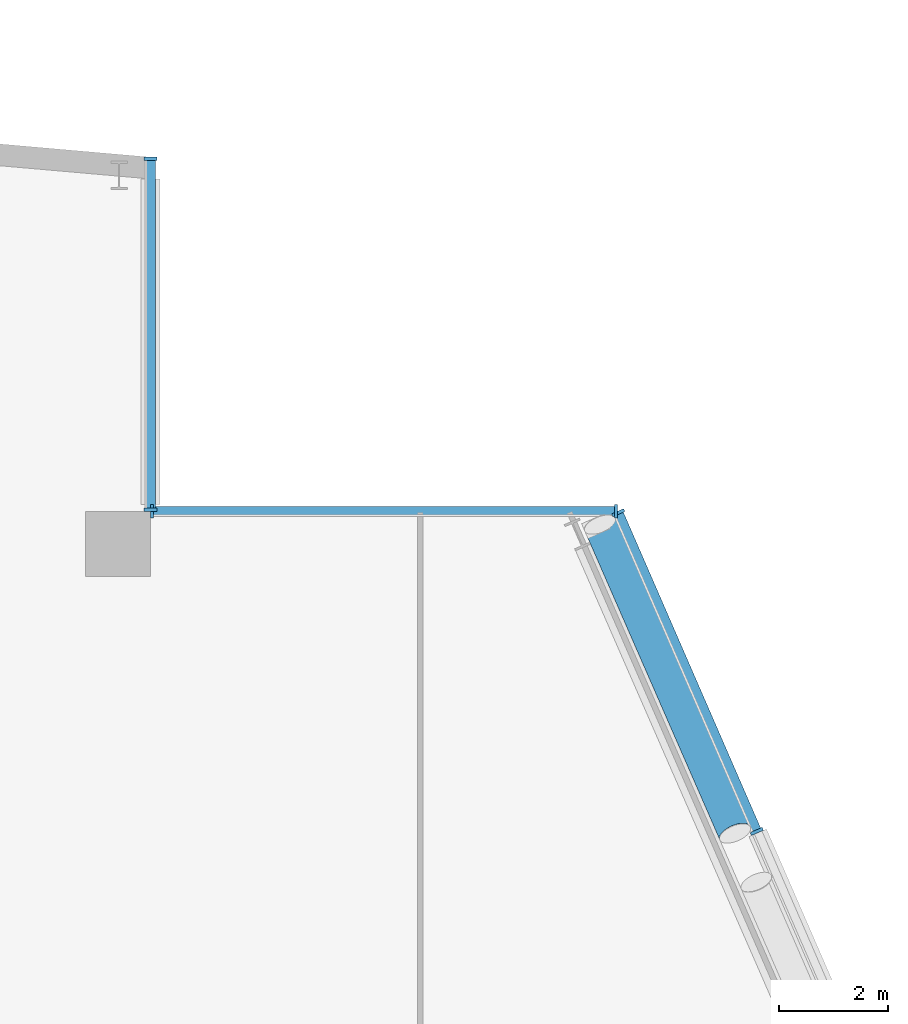
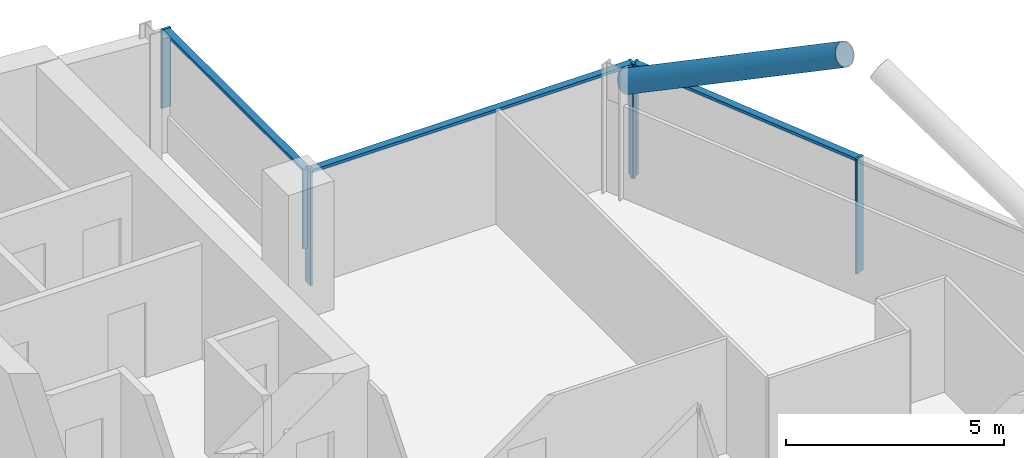
# One storey, part 11 of 28: 10 members, 3 elements without a shape of their own.
"""IFC4 building model written with IfcOpenShell, lengths in metres."""

from ifc_helpers import new_model, si_unit, direction, frame, origin, origin_2d, place, context, subcontext, project, spatial, rectangle, hollow_circle, extrude, material, material_profile, profile_set, type_object, element, aggregate, save


model = new_model("IFC4")

# Units and contexts
model_context = context("Model", 3, precision=1e-05, world=origin(), true_north=direction((0.0, 1.0)))
body_context = subcontext(model_context, "Body", "Model", "MODEL_VIEW")
ifc_project = project(units=[si_unit("LENGTHUNIT", "METRE"), si_unit("AREAUNIT", "SQUARE_METRE"), si_unit("VOLUMEUNIT", "CUBIC_METRE"), si_unit("PLANEANGLEUNIT", "RADIAN"), si_unit("MASSUNIT", "GRAM", prefix="KILO")], contexts=[model_context])

# Site, building, storey
site_placement = place(None, origin())
site = spatial("IfcSite", under=ifc_project, at=site_placement, CompositionType="ELEMENT")
building_placement = place(site_placement, origin())
building = spatial("IfcBuilding", under=site, at=building_placement, Name="Wharfspan Tower", CompositionType="ELEMENT")
storey_placement = place(building_placement, frame((0.0, 0.0, 250.300049)))
storey = spatial("IfcBuildingStorey", under=building, at=storey_placement, Name="L63", CompositionType="ELEMENT", Elevation=250.300049)

# Curtain wall, members
ifc_material_1 = material(Name="Aluminium 6063-T6", Category="aluminium")
curtain_wall_type = type_object("IfcCurtainWallType", Name="CURTAIN WALL PROW AND END", PredefinedType="NOTDEFINED", material=ifc_material_1)
curtain_wall_1_placement = place(storey_placement, origin())
curtain_wall_1 = element("IfcCurtainWall", 1, at=curtain_wall_1_placement, inside=storey, type_object=curtain_wall_type, Name="Curtain wall E", PredefinedType="NOTDEFINED")
ifc_material_profile_1 = material_profile(ifc_material_1, rectangle(XDim=0.23999, YDim=0.060059, at=origin_2d()))
ifc_profile_set_1 = profile_set([ifc_material_profile_1], Name="Aluminium 6063-T6")
member_type_1 = type_object("IfcMemberType", Name="MULLION PROW AND END 60x240", PredefinedType="MULLION", material=ifc_profile_set_1)
member_1_placement = place(storey_placement, frame((72.173828, 36.100098, 0.0), z_axis=(0.0, 0.0, 1.0), x_axis=(-0.917072, -0.398727, 0.0)))
member_1 = element("IfcMember", 2, at=member_1_placement, type_object=member_type_1, Name="Curtain wall E mullion 6", PredefinedType="MULLION", context=body_context, shape_type="SweptSolid", body=[
    extrude(rectangle(XDim=0.23999, YDim=0.060059, at=origin_2d()), origin(), (0.0, 0.0, 1.0), 3.199951),
])
member_2_placement = place(storey_placement, frame((69.620605, 41.972412, 0.0), z_axis=(0.0, 0.0, 1.0), x_axis=(-0.917072, -0.398727, 0.0)))
member_2 = element("IfcMember", 3, at=member_2_placement, type_object=member_type_1, Name="Curtain wall E mullion 7", PredefinedType="MULLION", context=body_context, shape_type="SweptSolid", body=[
    extrude(rectangle(XDim=0.23999, YDim=0.060059, at=origin_2d()), origin(), (0.0, 0.0, 1.0), 3.199951),
])

curtain_wall_2_placement = place(storey_placement, origin())
curtain_wall_2 = element("IfcCurtainWall", 4, at=curtain_wall_2_placement, inside=storey, type_object=curtain_wall_type, Name="Curtain wall NRE-H", PredefinedType="NOTDEFINED")
member_3_placement = place(storey_placement, frame((69.578613, 42.0, 0.0), z_axis=(0.0, 0.0, 1.0), x_axis=(0.0, -1.0, 0.0)))
member_3 = element("IfcMember", 5, at=member_3_placement, type_object=member_type_1, Name="Curtain wall NRE-H mullion 1", PredefinedType="MULLION", context=body_context, shape_type="SweptSolid", body=[
    extrude(rectangle(XDim=0.23999, YDim=0.060059, at=origin_2d()), origin(), (0.0, 0.0, 1.0), 3.199951),
])
member_4_placement = place(storey_placement, frame((61.030029, 42.0, 0.0), z_axis=(0.0, 0.0, 1.0), x_axis=(0.0, -1.0, 0.0)))
member_4 = element("IfcMember", 6, at=member_4_placement, type_object=member_type_1, Name="Curtain wall NRE-H mullion 2", PredefinedType="MULLION", context=body_context, shape_type="SweptSolid", body=[
    extrude(rectangle(XDim=0.23999, YDim=0.060059, at=origin_2d()), origin(), (0.0, 0.0, 1.0), 3.199951),
])

curtain_wall_3_placement = place(storey_placement, origin())
curtain_wall_3 = element("IfcCurtainWall", 7, at=curtain_wall_3_placement, inside=storey, type_object=curtain_wall_type, Name="Curtain wall NRE-V", PredefinedType="NOTDEFINED")
member_5_placement = place(storey_placement, frame((61.0, 42.030029, 1.0), z_axis=(0.0, 0.0, 1.0), x_axis=(-1.0, 0.0, 0.0)))
member_5 = element("IfcMember", 8, at=member_5_placement, type_object=member_type_1, Name="Curtain wall NRE-V mullion 1", PredefinedType="MULLION", context=body_context, shape_type="SweptSolid", body=[
    extrude(rectangle(XDim=0.23999, YDim=0.060059, at=origin_2d()), origin(), (0.0, 0.0, 1.0), 2.199951),
])
member_6_placement = place(storey_placement, frame((61.0, 48.494873, 1.0), z_axis=(0.0, 0.0, 1.0), x_axis=(-1.0, 0.0, 0.0)))
member_6 = element("IfcMember", 9, at=member_6_placement, type_object=member_type_1, Name="Curtain wall NRE-V mullion 2", PredefinedType="MULLION", context=body_context, shape_type="SweptSolid", body=[
    extrude(rectangle(XDim=0.23999, YDim=0.060059, at=origin_2d()), origin(), (0.0, 0.0, 1.0), 2.199951),
])

# Member
ifc_material_2 = material(Name="Steel S460NH", Category="steel")
ifc_material_profile_2 = material_profile(ifc_material_2, hollow_circle(Radius=0.304932, WallThickness=0.024902, at=origin_2d()))
ifc_profile_set_2 = profile_set([ifc_material_profile_2], Name="Steel S460NH")
member_type_2 = type_object("IfcMemberType", Name="Mega brace CHS 610x25", PredefinedType="BRACE", material=ifc_profile_set_2)
member_7_placement = place(storey_placement, frame((69.284424, 41.753662, 2.899902), z_axis=(0.352903, -0.807102, 0.473334), x_axis=(0.916243, 0.400624, -1e-06)))
element("IfcMember", 10, at=member_7_placement, inside=storey, type_object=member_type_2, Name="Mega brace E6 L64 part 3", PredefinedType="BRACE", context=body_context, shape_type="SweptSolid", body=[
    extrude(hollow_circle(Radius=0.304932, WallThickness=0.024902, at=origin_2d()), origin(), (0.0, 0.0, 1.0), 7.04248),
])

ifc_material_profile_3 = material_profile(ifc_material_1, rectangle(XDim=0.179932, YDim=0.080078, at=origin_2d()))
ifc_profile_set_3 = profile_set([ifc_material_profile_3], Name="Aluminium 6063-T6")
member_type_3 = type_object("IfcMemberType", Name="TRANSOM PROW AND END 80x180", PredefinedType="USERDEFINED", material=ifc_profile_set_3)
member_8_placement = place(storey_placement, frame((72.161865, 36.127441, 3.159912), z_axis=(-0.398712, 0.917076, 0.0), x_axis=(-0.917076, -0.398712, 0.0)))
member_8 = element("IfcMember", 11, at=member_8_placement, type_object=member_type_3, Name="Curtain wall E transom 6", ObjectType="TRANSOM", PredefinedType="USERDEFINED", context=body_context, shape_type="SweptSolid", body=[
    extrude(rectangle(XDim=0.179932, YDim=0.080078, at=origin_2d()), origin(), (0.0, 0.0, 1.0), 6.34375),
])

aggregate(curtain_wall_1, [member_1, member_2, member_8])

member_9_placement = place(storey_placement, frame((69.548584, 42.0, 3.159912), z_axis=(-1.0, 0.0, 0.0), x_axis=(0.0, -1.0, 0.0)))
member_9 = element("IfcMember", 12, at=member_9_placement, type_object=member_type_3, Name="Curtain wall NRE-H transom 1", ObjectType="TRANSOM", PredefinedType="USERDEFINED", context=body_context, shape_type="SweptSolid", body=[
    extrude(rectangle(XDim=0.179932, YDim=0.080078, at=origin_2d()), origin(), (0.0, 0.0, 1.0), 8.488525),
])

aggregate(curtain_wall_2, [member_3, member_4, member_9])

member_10_placement = place(storey_placement, frame((61.0, 42.060059, 3.159912), z_axis=(0.0, 1.0, 0.0), x_axis=(-1.0, 0.0, 0.0)))
member_10 = element("IfcMember", 13, at=member_10_placement, type_object=member_type_3, Name="Curtain wall NRE-V transom 1", ObjectType="TRANSOM", PredefinedType="USERDEFINED", context=body_context, shape_type="SweptSolid", body=[
    extrude(rectangle(XDim=0.179932, YDim=0.080078, at=origin_2d()), origin(), (0.0, 0.0, 1.0), 6.404785),
])

aggregate(curtain_wall_3, [member_5, member_6, member_10])

save(model, "model.ifc")
